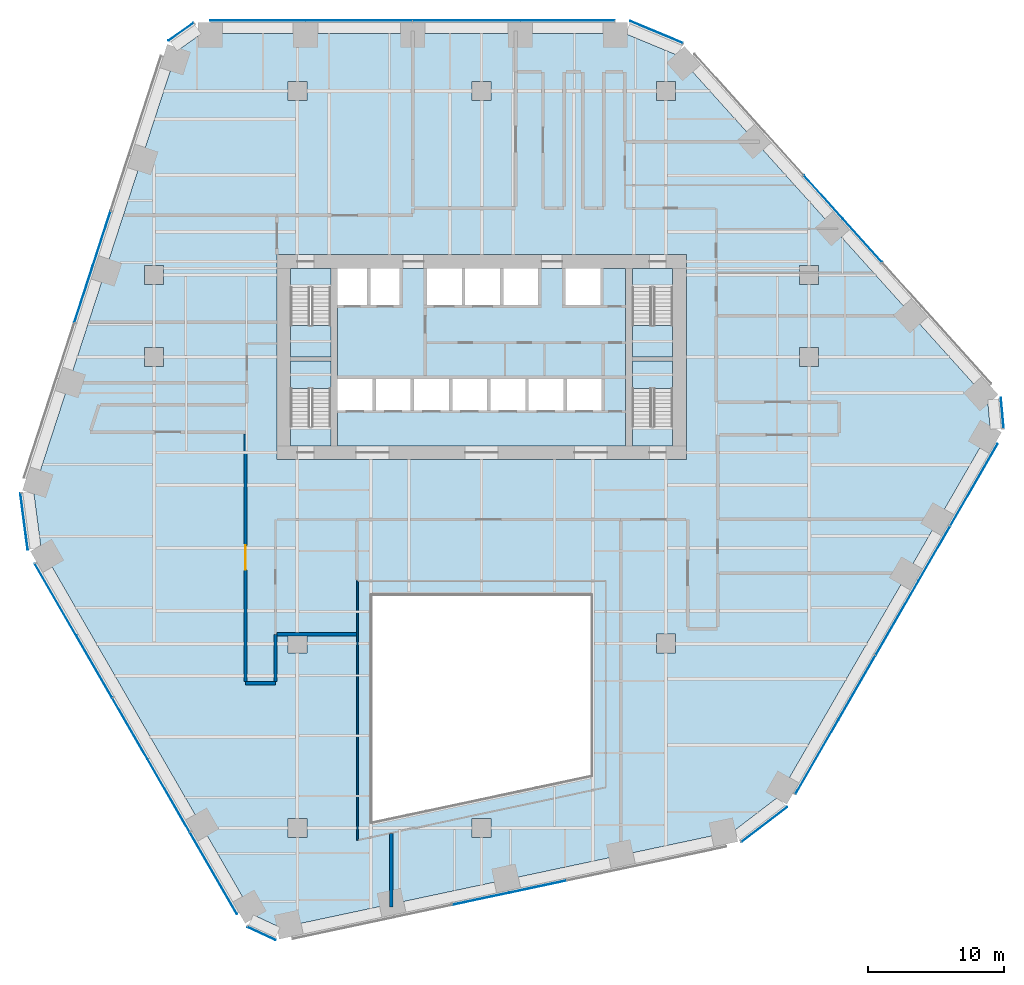
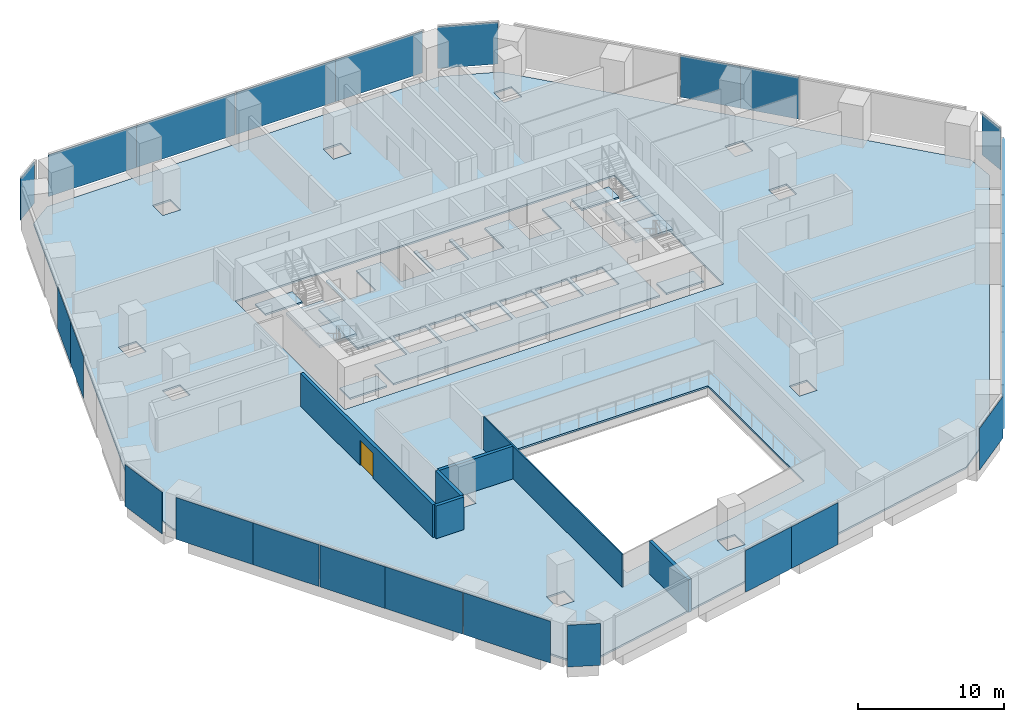
# One storey, part 13 of 21: 26 plates, 10 slabs, 6 walls, 1 door, 1 opening, 16 elements without a shape of their own.
"""IFC4 building model written with IfcOpenShell, lengths in metres."""

from ifc_helpers import new_model, si_unit, direction, frame, frame_2d, origin, origin_2d, place, context, subcontext, project, spatial, polyline, rectangle, outline, extrude, material, layer, layer_set, type_object, element, fill, aggregate, save


model = new_model("IFC4")

# Units and contexts
model_context = context("Model", 3, precision=1e-05, world=origin(), true_north=direction((0.0, 1.0)))
body_context = subcontext(model_context, "Body", "Model", "MODEL_VIEW")
ifc_project = project(units=[si_unit("LENGTHUNIT", "METRE"), si_unit("AREAUNIT", "SQUARE_METRE"), si_unit("VOLUMEUNIT", "CUBIC_METRE"), si_unit("PLANEANGLEUNIT", "RADIAN"), si_unit("MASSUNIT", "GRAM", prefix="KILO")], contexts=[model_context])

# Site, building, storey
site_placement = place(None, origin())
site = spatial("IfcSite", under=ifc_project, at=site_placement, CompositionType="ELEMENT")
building_placement = place(site_placement, origin())
building = spatial("IfcBuilding", under=site, at=building_placement, Name="Isthmus Gate Tower", CompositionType="ELEMENT")
storey_placement = place(building_placement, frame((0.0, 0.0, 46.949951171875)))
storey = spatial("IfcBuildingStorey", under=building, at=storey_placement, Name="L09", CompositionType="ELEMENT", Elevation=46.949951171875)

# Slabs
ifc_material_1 = material(Name="Concrete f'c 40 MPa", Category="concrete")
ifc_layer_1 = layer(ifc_material_1, 0.14990234375)
ifc_layer_set_1 = layer_set([ifc_layer_1], Name="COMPOSITE FLOOR SLAB 150")
slab_type_1 = type_object("IfcSlabType", Name="COMPOSITE FLOOR SLAB 150", PredefinedType="FLOOR", material=ifc_layer_set_1)
slab_1_placement = place(storey_placement, frame((0.0, 0.0, -0.14990234375)))
element("IfcSlab", 1, at=slab_1_placement, inside=storey, type_object=slab_type_1, Name="str-slab-L09-1", PredefinedType="FLOOR", context=body_context, shape_type="SweptSolid", body=[
    extrude(outline(polyline([(14.391357421875, 29.599365234375), (37.081787109375, 4.399169921875), (37.281494140625, 2.17333984375), (21.748779296875, -24.729736328125), (18.438232421875, -27.262939453125), (-14.73095703125, -34.313232421875), (-16.758544921875, -33.373291015625), (-32.291015625, -6.47021484375), (-32.82958984375, -2.33642578125), (-22.3505859375, 29.9140625), (-20.52294921875, 31.199951171875), (10.542236328125, 31.199951171875), (14.391357421875, 29.599365234375)]), holes=[polyline([(-14.199951171875, -27.699951171875), (-12.800048828125, -27.699951171875), (-12.800048828125, -26.300048828125), (-14.199951171875, -26.300048828125), (-14.199951171875, -27.699951171875)]), polyline([(-0.699951171875, -26.300048828125), (-0.699951171875, -27.699951171875), (0.699951171875, -27.699951171875), (0.699951171875, -26.300048828125), (-0.699951171875, -26.300048828125)]), polyline([(-14.199951171875, -12.800048828125), (-14.199951171875, -14.199951171875), (-12.800048828125, -14.199951171875), (-12.800048828125, -12.800048828125), (-14.199951171875, -12.800048828125)]), polyline([(-24.699951171875, 8.199951171875), (-24.699951171875, 6.800048828125), (-23.300048828125, 6.800048828125), (-23.300048828125, 8.199951171875), (-24.699951171875, 8.199951171875)]), polyline([(-23.300048828125, 14.199951171875), (-24.699951171875, 14.199951171875), (-24.699951171875, 12.800048828125), (-23.300048828125, 12.800048828125), (-23.300048828125, 14.199951171875)]), polyline([(-14.199951171875, 27.699951171875), (-14.199951171875, 26.300048828125), (-12.800048828125, 26.300048828125), (-12.800048828125, 27.699951171875), (-14.199951171875, 27.699951171875)]), polyline([(-0.699951171875, 27.699951171875), (-0.699951171875, 26.300048828125), (0.699951171875, 26.300048828125), (0.699951171875, 27.699951171875), (-0.699951171875, 27.699951171875)]), polyline([(8.0, -23.143310546875), (8.0, -10.0), (-8.0, -10.0), (-8.0, -26.544189453125), (8.0, -23.143310546875)]), polyline([(14.199951171875, -12.800048828125), (12.800048828125, -12.800048828125), (12.800048828125, -14.199951171875), (14.199951171875, -14.199951171875), (14.199951171875, -12.800048828125)]), polyline([(15.0, 15.0), (-15.0, 15.0), (-15.0, 0.0), (15.0, 0.0), (15.0, 15.0)]), polyline([(24.699951171875, 8.199951171875), (23.300048828125, 8.199951171875), (23.300048828125, 6.800048828125), (24.699951171875, 6.800048828125), (24.699951171875, 8.199951171875)]), polyline([(23.300048828125, 14.199951171875), (23.300048828125, 12.800048828125), (24.699951171875, 12.800048828125), (24.699951171875, 14.199951171875), (23.300048828125, 14.199951171875)]), polyline([(14.199951171875, 27.699951171875), (12.800048828125, 27.699951171875), (12.800048828125, 26.300048828125), (14.199951171875, 26.300048828125), (14.199951171875, 27.699951171875)])]), origin(), (0.0, 0.0, 1.0), 0.14990234375),
])
ifc_material_2 = material(Name="Concrete f'c 40 MPa", Category="concrete")
ifc_layer_2 = layer(ifc_material_2, 0.14990234375)
ifc_layer_set_2 = layer_set([ifc_layer_2], Name="CORE FLOOR SLAB 150")
slab_type_2 = type_object("IfcSlabType", Name="CORE FLOOR SLAB 150", PredefinedType="FLOOR", material=ifc_layer_set_2)
slab_2_placement = place(storey_placement, frame((0.0, 0.0, -0.14990234375)))
element("IfcSlab", 2, at=slab_2_placement, inside=storey, type_object=slab_type_2, Name="L09 core floor", PredefinedType="FLOOR", context=body_context, shape_type="SweptSolid", body=[
    extrude(outline(polyline([(-11.050048828125, 1.0), (-11.050048828125, 2.402099609375), (-14.0, 2.402099609375), (-14.0, 1.0), (-11.050048828125, 1.0)])), origin(), (0.0, 0.0, 1.0), 0.14990234375),
])
slab_3_placement = place(storey_placement, frame((0.0, 0.0, -0.14990234375)))
element("IfcSlab", 3, at=slab_3_placement, inside=storey, type_object=slab_type_2, Name="L09 core floor", PredefinedType="FLOOR", context=body_context, shape_type="SweptSolid", body=[
    extrude(outline(polyline([(-14.0, 14.0), (-14.0, 12.597900390625), (-11.050048828125, 12.597900390625), (-11.050048828125, 14.0), (-14.0, 14.0)])), origin(), (0.0, 0.0, 1.0), 0.14990234375),
])
slab_4_placement = place(storey_placement, frame((0.0, 0.0, -0.14990234375)))
element("IfcSlab", 4, at=slab_4_placement, inside=storey, type_object=slab_type_2, Name="L09 core floor", PredefinedType="FLOOR", context=body_context, shape_type="SweptSolid", body=[
    extrude(outline(polyline([(10.550048828125, 14.0), (8.699951171875, 14.0), (8.699951171875, 11.300048828125), (6.14990234375, 11.300048828125), (6.14990234375, 14.0), (4.14990234375, 14.0), (4.14990234375, 11.300048828125), (1.60009765625, 11.300048828125), (1.60009765625, 14.0), (1.35009765625, 14.0), (1.35009765625, 11.300048828125), (-1.199951171875, 11.300048828125), (-1.199951171875, 14.0), (-1.449951171875, 14.0), (-1.449951171875, 11.300048828125), (-4.0, 11.300048828125), (-4.0, 14.0), (-6.0, 14.0), (-6.0, 11.300048828125), (-8.14990234375, 11.300048828125), (-8.14990234375, 14.0), (-8.39990234375, 14.0), (-8.39990234375, 11.300048828125), (-10.550048828125, 11.300048828125), (-10.550048828125, 5.89990234375), (-8.0, 5.89990234375), (-8.0, 3.60009765625), (-10.550048828125, 3.60009765625), (-10.550048828125, 1.0), (10.550048828125, 1.0), (10.550048828125, 14.0)]), holes=[polyline([(-5.199951171875, 5.89990234375), (-5.199951171875, 3.60009765625), (-7.75, 3.60009765625), (-7.75, 5.89990234375), (-5.199951171875, 5.89990234375)]), polyline([(-2.39990234375, 5.89990234375), (-2.39990234375, 3.60009765625), (-4.949951171875, 3.60009765625), (-4.949951171875, 5.89990234375), (-2.39990234375, 5.89990234375)]), polyline([(0.39990234375, 5.89990234375), (0.39990234375, 3.60009765625), (-2.14990234375, 3.60009765625), (-2.14990234375, 5.89990234375), (0.39990234375, 5.89990234375)]), polyline([(3.199951171875, 5.89990234375), (3.199951171875, 3.60009765625), (0.64990234375, 3.60009765625), (0.64990234375, 5.89990234375), (3.199951171875, 5.89990234375)]), polyline([(6.0, 5.89990234375), (6.0, 3.60009765625), (3.449951171875, 3.60009765625), (3.449951171875, 5.89990234375), (6.0, 5.89990234375)]), polyline([(8.800048828125, 5.89990234375), (8.800048828125, 3.60009765625), (6.25, 3.60009765625), (6.25, 5.89990234375), (8.800048828125, 5.89990234375)])]), origin(), (0.0, 0.0, 1.0), 0.14990234375),
])
slab_5_placement = place(storey_placement, frame((0.0, 0.0, -0.14990234375)))
element("IfcSlab", 5, at=slab_5_placement, inside=storey, type_object=slab_type_2, Name="L09 core floor", PredefinedType="FLOOR", context=body_context, shape_type="SweptSolid", body=[
    extrude(outline(polyline([(14.0, 1.0), (14.0, 2.402099609375), (11.050048828125, 2.402099609375), (11.050048828125, 1.0), (14.0, 1.0)])), origin(), (0.0, 0.0, 1.0), 0.14990234375),
])
slab_6_placement = place(storey_placement, frame((0.0, 0.0, -0.14990234375)))
element("IfcSlab", 6, at=slab_6_placement, inside=storey, type_object=slab_type_2, Name="L09 core floor", PredefinedType="FLOOR", context=body_context, shape_type="SweptSolid", body=[
    extrude(outline(polyline([(11.050048828125, 14.0), (11.050048828125, 12.597900390625), (14.0, 12.597900390625), (14.0, 14.0), (11.050048828125, 14.0)])), origin(), (0.0, 0.0, 1.0), 0.14990234375),
])

# Curtain wall, plates
ifc_material_3 = material(Name="Aluminium, pale champagne anodised", Category="aluminium")
ifc_layer_3 = layer(ifc_material_3, 0.199951171875)
ifc_layer_set_3 = layer_set([ifc_layer_3], Name="CW-1 UNITISED CURTAIN WALL 200 DEEP")
curtain_wall_type = type_object("IfcCurtainWallType", Name="CW-1 UNITISED CURTAIN WALL 200 DEEP", PredefinedType="NOTDEFINED", material=ifc_layer_set_3)
curtain_wall_1_placement = place(storey_placement, origin())
curtain_wall_1 = element("IfcCurtainWall", 7, at=curtain_wall_1_placement, inside=storey, type_object=curtain_wall_type, Name="CW-1 N L09", PredefinedType="NOTDEFINED")
ifc_material_4 = material(Name="Laminated low-iron glass, pale blue tint", Category="glass")
ifc_layer_4 = layer(ifc_material_4, 0.0400390625)
ifc_layer_set_4 = layer_set([ifc_layer_4], Name="CW-1 CLEAR GLASS LITE 40")
plate_type = type_object("IfcPlateType", Name="CW-1 CLEAR GLASS LITE 40", PredefinedType="CURTAIN_PANEL", material=ifc_layer_set_4)
plate_1_placement = place(storey_placement, frame((6.287109375, 32.179931640625, 0.0), z_axis=(0.0, 0.0, 1.0), x_axis=(-1.0, 0.0, 0.0)))
plate_1 = element("IfcPlate", 8, at=plate_1_placement, type_object=plate_type, Name="CW-1 glass lite", PredefinedType="CURTAIN_PANEL", context=body_context, shape_type="SweptSolid", body=[
    extrude(rectangle(XDim=6.909423828125, YDim=0.0400390625, at=origin_2d()), origin(), (0.0, 0.0, 1.0), 3.5),
])
plate_2_placement = place(storey_placement, frame((-1.1025390625, 32.179931640625, 0.0), z_axis=(0.0, 0.0, 1.0), x_axis=(-1.0, 0.0, 0.0)))
plate_2 = element("IfcPlate", 9, at=plate_2_placement, type_object=plate_type, Name="CW-1 glass lite", PredefinedType="CURTAIN_PANEL", context=body_context, shape_type="SweptSolid", body=[
    extrude(rectangle(XDim=7.86962890625, YDim=0.0400390625, at=origin_2d()), origin(), (0.0, 0.0, 1.0), 3.5),
])
plate_3_placement = place(storey_placement, frame((-9.001953125, 32.179931640625, 0.0), z_axis=(0.0, 0.0, 1.0), x_axis=(-1.0, 0.0, 0.0)))
plate_3 = element("IfcPlate", 10, at=plate_3_placement, type_object=plate_type, Name="CW-1 glass lite", PredefinedType="CURTAIN_PANEL", context=body_context, shape_type="SweptSolid", body=[
    extrude(rectangle(XDim=7.8095703125, YDim=0.0400390625, at=origin_2d()), origin(), (0.0, 0.0, 1.0), 3.5),
])
plate_4_placement = place(storey_placement, frame((-16.391357421875, 32.179931640625, 0.0), z_axis=(0.0, 0.0, 1.0), x_axis=(-1.0, 0.0, 0.0)))
plate_4 = element("IfcPlate", 11, at=plate_4_placement, type_object=plate_type, Name="CW-1 glass lite", PredefinedType="CURTAIN_PANEL", context=body_context, shape_type="SweptSolid", body=[
    extrude(rectangle(XDim=6.969482421875, YDim=0.0400390625, at=origin_2d()), origin(), (0.0, 0.0, 1.0), 3.5),
])
aggregate(curtain_wall_1, [plate_1, plate_2, plate_3, plate_4])

# Curtain wall, plate
curtain_wall_2_placement = place(storey_placement, origin())
curtain_wall_2 = element("IfcCurtainWall", 12, at=curtain_wall_2_placement, inside=storey, type_object=curtain_wall_type, Name="CW-1 N-NW L09", PredefinedType="NOTDEFINED")
plate_5_placement = place(storey_placement, frame((-22.025146484375, 31.341552734375, 0.0), z_axis=(0.0, 0.0, 1.0), x_axis=(-0.81785959165, -0.57541783805, 0.0)))
plate_5 = element("IfcPlate", 13, at=plate_5_placement, type_object=plate_type, Name="CW-1 glass lite", PredefinedType="CURTAIN_PANEL", context=body_context, shape_type="SweptSolid", body=[
    extrude(rectangle(XDim=2.258544921875, YDim=0.0400390625, at=origin_2d()), origin(), (0.0, 0.0, 1.0), 3.5),
])
aggregate(curtain_wall_2, [plate_5])

# Curtain wall, plates
curtain_wall_3_placement = place(storey_placement, origin())
curtain_wall_3 = element("IfcCurtainWall", 14, at=curtain_wall_3_placement, inside=storey, type_object=curtain_wall_type, Name="CW-1 NW L09", PredefinedType="NOTDEFINED")
plate_6_placement = place(storey_placement, frame((-27.8544921875, 16.146484375, 0.0), z_axis=(0.0, 0.0, 1.0), x_axis=(-0.309016994375, -0.951056516295, 0.0)))
plate_6 = element("IfcPlate", 15, at=plate_6_placement, type_object=plate_type, Name="CW-1 glass lite", PredefinedType="CURTAIN_PANEL", context=body_context, shape_type="SweptSolid", body=[
    extrude(rectangle(XDim=4.234619140625, YDim=0.0400390625, at=origin_2d()), origin(), (0.0, 0.0, 1.0), 3.5),
])
plate_7_placement = place(storey_placement, frame((-29.17236328125, 12.09033203125, 0.0), z_axis=(0.0, 0.0, 1.0), x_axis=(-0.309016994375, -0.951056516295, 0.0)))
plate_7 = element("IfcPlate", 16, at=plate_7_placement, type_object=plate_type, Name="CW-1 glass lite", PredefinedType="CURTAIN_PANEL", context=body_context, shape_type="SweptSolid", body=[
    extrude(rectangle(XDim=4.294677734375, YDim=0.0400390625, at=origin_2d()), origin(), (0.0, 0.0, 1.0), 3.5),
])
aggregate(curtain_wall_3, [plate_6, plate_7])

# Curtain wall, plate
curtain_wall_4_placement = place(storey_placement, origin())
curtain_wall_4 = element("IfcCurtainWall", 17, at=curtain_wall_4_placement, inside=storey, type_object=curtain_wall_type, Name="CW-1 NW-SW L09", PredefinedType="NOTDEFINED")
plate_8_placement = place(storey_placement, frame((-33.5283203125, -4.558349609375, 0.0), z_axis=(0.0, 0.0, 1.0), x_axis=(0.129164534, -0.991623175988, 0.0)))
plate_8 = element("IfcPlate", 18, at=plate_8_placement, type_object=plate_type, Name="CW-1 glass lite", PredefinedType="CURTAIN_PANEL", context=body_context, shape_type="SweptSolid", body=[
    extrude(rectangle(XDim=4.181396484375, YDim=0.0400390625, at=origin_2d()), origin(), (0.0, 0.0, 1.0), 3.5),
])
aggregate(curtain_wall_4, [plate_8])

# Curtain wall, plates
curtain_wall_5_placement = place(storey_placement, origin())
curtain_wall_5 = element("IfcCurtainWall", 19, at=curtain_wall_5_placement, inside=storey, type_object=curtain_wall_type, Name="CW-1 SW L09", PredefinedType="NOTDEFINED")
plate_9_placement = place(storey_placement, frame((-31.22119140625, -10.283203125, 0.0), z_axis=(0.0, 0.0, 1.0), x_axis=(0.5, -0.866025403784, 0.0)))
plate_9 = element("IfcPlate", 20, at=plate_9_placement, type_object=plate_type, Name="CW-1 glass lite", PredefinedType="CURTAIN_PANEL", context=body_context, shape_type="SweptSolid", body=[
    extrude(rectangle(XDim=6.07373046875, YDim=0.0400390625, at=origin_2d()), origin(), (0.0, 0.0, 1.0), 3.5),
])
plate_10_placement = place(storey_placement, frame((-28.394287109375, -15.179443359375, 0.0), z_axis=(0.0, 0.0, 1.0), x_axis=(0.5, -0.866025403784, 0.0)))
plate_10 = element("IfcPlate", 21, at=plate_10_placement, type_object=plate_type, Name="CW-1 glass lite", PredefinedType="CURTAIN_PANEL", context=body_context, shape_type="SweptSolid", body=[
    extrude(rectangle(XDim=5.233642578125, YDim=0.0400390625, at=origin_2d()), origin(), (0.0, 0.0, 1.0), 3.5),
])
plate_11_placement = place(storey_placement, frame((-25.7626953125, -19.73779296875, 0.0), z_axis=(0.0, 0.0, 1.0), x_axis=(0.5, -0.866025403784, 0.0)))
plate_11 = element("IfcPlate", 22, at=plate_11_placement, type_object=plate_type, Name="CW-1 glass lite", PredefinedType="CURTAIN_PANEL", context=body_context, shape_type="SweptSolid", body=[
    extrude(rectangle(XDim=5.173583984375, YDim=0.0400390625, at=origin_2d()), origin(), (0.0, 0.0, 1.0), 3.5),
])
plate_12_placement = place(storey_placement, frame((-22.935791015625, -24.634033203125, 0.0), z_axis=(0.0, 0.0, 1.0), x_axis=(0.5, -0.866025403784, 0.0)))
plate_12 = element("IfcPlate", 23, at=plate_12_placement, type_object=plate_type, Name="CW-1 glass lite", PredefinedType="CURTAIN_PANEL", context=body_context, shape_type="SweptSolid", body=[
    extrude(rectangle(XDim=6.133544921875, YDim=0.0400390625, at=origin_2d()), origin(), (0.0, 0.0, 1.0), 3.5),
])
plate_13_placement = place(storey_placement, frame((-19.6513671875, -30.32275390625, 0.0), z_axis=(0.0, 0.0, 1.0), x_axis=(0.5, -0.866025403784, 0.0)))
plate_13 = element("IfcPlate", 24, at=plate_13_placement, type_object=plate_type, Name="CW-1 glass lite", PredefinedType="CURTAIN_PANEL", context=body_context, shape_type="SweptSolid", body=[
    extrude(rectangle(XDim=6.883544921875, YDim=0.0400390625, at=origin_2d()), origin(), (0.0, 0.0, 1.0), 3.5),
])
aggregate(curtain_wall_5, [plate_9, plate_10, plate_11, plate_12, plate_13])

# Curtain wall, plate
curtain_wall_6_placement = place(storey_placement, origin())
curtain_wall_6 = element("IfcCurtainWall", 25, at=curtain_wall_6_placement, inside=storey, type_object=curtain_wall_type, Name="CW-1 SW-S L09", PredefinedType="NOTDEFINED")
plate_14_placement = place(storey_placement, frame((-16.1298828125, -34.7451171875, 0.0), z_axis=(0.0, 0.0, 1.0), x_axis=(0.907256261367, -0.420578264073, 0.0)))
plate_14 = element("IfcPlate", 26, at=plate_14_placement, type_object=plate_type, Name="CW-1 glass lite", PredefinedType="CURTAIN_PANEL", context=body_context, shape_type="SweptSolid", body=[
    extrude(rectangle(XDim=2.258544921875, YDim=0.0400390625, at=origin_2d()), origin(), (0.0, 0.0, 1.0), 3.5),
])
aggregate(curtain_wall_6, [plate_14])

# Curtain wall, plates
curtain_wall_7_placement = place(storey_placement, origin())
curtain_wall_7 = element("IfcCurtainWall", 27, at=curtain_wall_7_placement, inside=storey, type_object=curtain_wall_type, Name="CW-1 S L09", PredefinedType="NOTDEFINED")
plate_15_placement = place(storey_placement, frame((-0.055908203125, -32.19580078125, 0.0), z_axis=(0.0, 0.0, 1.0), x_axis=(0.978147600734, 0.207911690818, 0.0)))
plate_15 = element("IfcPlate", 28, at=plate_15_placement, type_object=plate_type, Name="CW-1 glass lite", PredefinedType="CURTAIN_PANEL", context=body_context, shape_type="SweptSolid", body=[
    extrude(rectangle(XDim=4.234619140625, YDim=0.0400390625, at=origin_2d()), origin(), (0.0, 0.0, 1.0), 3.5),
])
plate_16_placement = place(storey_placement, frame((4.115478515625, -31.309326171875, 0.0), z_axis=(0.0, 0.0, 1.0), x_axis=(0.978147600734, 0.207911690818, 0.0)))
plate_16 = element("IfcPlate", 29, at=plate_16_placement, type_object=plate_type, Name="CW-1 glass lite", PredefinedType="CURTAIN_PANEL", context=body_context, shape_type="SweptSolid", body=[
    extrude(rectangle(XDim=4.294677734375, YDim=0.0400390625, at=origin_2d()), origin(), (0.0, 0.0, 1.0), 3.5),
])
aggregate(curtain_wall_7, [plate_15, plate_16])

# Curtain wall, plate
curtain_wall_8_placement = place(storey_placement, origin())
curtain_wall_8 = element("IfcCurtainWall", 30, at=curtain_wall_8_placement, inside=storey, type_object=curtain_wall_type, Name="CW-1 S-SE L09", PredefinedType="NOTDEFINED")
plate_17_placement = place(storey_placement, frame((20.711669921875, -26.75732421875, 0.0), z_axis=(0.0, 0.0, 1.0), x_axis=(0.794188594387, 0.607671355706, 0.0)))
plate_17 = element("IfcPlate", 31, at=plate_17_placement, type_object=plate_type, Name="CW-1 glass lite", PredefinedType="CURTAIN_PANEL", context=body_context, shape_type="SweptSolid", body=[
    extrude(rectangle(XDim=4.181396484375, YDim=0.0400390625, at=origin_2d()), origin(), (0.0, 0.0, 1.0), 3.5),
])
aggregate(curtain_wall_8, [plate_17])

# Curtain wall, plates
curtain_wall_9_placement = place(storey_placement, origin())
curtain_wall_9 = element("IfcCurtainWall", 32, at=curtain_wall_9_placement, inside=storey, type_object=curtain_wall_type, Name="CW-1 SE L09", PredefinedType="NOTDEFINED")
plate_18_placement = place(storey_placement, frame((24.5673828125, -21.80810546875, 0.0), z_axis=(0.0, 0.0, 1.0), x_axis=(0.5, 0.866025403784, 0.0)))
plate_18 = element("IfcPlate", 33, at=plate_18_placement, type_object=plate_type, Name="CW-1 glass lite", PredefinedType="CURTAIN_PANEL", context=body_context, shape_type="SweptSolid", body=[
    extrude(rectangle(XDim=6.278564453125, YDim=0.0400390625, at=origin_2d()), origin(), (0.0, 0.0, 1.0), 3.5),
])
plate_19_placement = place(storey_placement, frame((27.49658203125, -16.734375, 0.0), z_axis=(0.0, 0.0, 1.0), x_axis=(0.5, 0.866025403784, 0.0)))
plate_19 = element("IfcPlate", 34, at=plate_19_placement, type_object=plate_type, Name="CW-1 glass lite", PredefinedType="CURTAIN_PANEL", context=body_context, shape_type="SweptSolid", body=[
    extrude(rectangle(XDim=5.4384765625, YDim=0.0400390625, at=origin_2d()), origin(), (0.0, 0.0, 1.0), 3.5),
])
plate_20_placement = place(storey_placement, frame((30.4560546875, -11.608642578125, 0.0), z_axis=(0.0, 0.0, 1.0), x_axis=(0.5, 0.866025403784, 0.0)))
plate_20 = element("IfcPlate", 35, at=plate_20_placement, type_object=plate_type, Name="CW-1 glass lite", PredefinedType="CURTAIN_PANEL", context=body_context, shape_type="SweptSolid", body=[
    extrude(rectangle(XDim=6.278564453125, YDim=0.0400390625, at=origin_2d()), origin(), (0.0, 0.0, 1.0), 3.5),
])
plate_21_placement = place(storey_placement, frame((33.173828125, -6.901123046875, 0.0), z_axis=(0.0, 0.0, 1.0), x_axis=(0.5, 0.866025403784, 0.0)))
plate_21 = element("IfcPlate", 36, at=plate_21_placement, type_object=plate_type, Name="CW-1 glass lite", PredefinedType="CURTAIN_PANEL", context=body_context, shape_type="SweptSolid", body=[
    extrude(rectangle(XDim=4.5927734375, YDim=0.0400390625, at=origin_2d()), origin(), (0.0, 0.0, 1.0), 3.5),
])
plate_22_placement = place(storey_placement, frame((36.079345703125, -1.86865234375, 0.0), z_axis=(0.0, 0.0, 1.0), x_axis=(0.5, 0.866025403784, 0.0)))
plate_22 = element("IfcPlate", 37, at=plate_22_placement, type_object=plate_type, Name="CW-1 glass lite", PredefinedType="CURTAIN_PANEL", context=body_context, shape_type="SweptSolid", body=[
    extrude(rectangle(XDim=6.909423828125, YDim=0.0400390625, at=origin_2d()), origin(), (0.0, 0.0, 1.0), 3.5),
])
aggregate(curtain_wall_9, [plate_18, plate_19, plate_20, plate_21, plate_22])

# Curtain wall, plate
curtain_wall_10_placement = place(storey_placement, origin())
curtain_wall_10 = element("IfcCurtainWall", 38, at=curtain_wall_10_placement, inside=storey, type_object=curtain_wall_type, Name="CW-1 SE-NE L09", PredefinedType="NOTDEFINED")
plate_23_placement = place(storey_placement, frame((38.155029296875, 3.403564453125, 0.0), z_axis=(0.0, 0.0, 1.0), x_axis=(-0.089396669717, 0.995996102123, 0.0)))
plate_23 = element("IfcPlate", 39, at=plate_23_placement, type_object=plate_type, Name="CW-1 glass lite", PredefinedType="CURTAIN_PANEL", context=body_context, shape_type="SweptSolid", body=[
    extrude(rectangle(XDim=2.258544921875, YDim=0.0400390625, at=origin_2d()), origin(), (0.0, 0.0, 1.0), 3.5),
])
aggregate(curtain_wall_10, [plate_23])

# Curtain wall, plates
curtain_wall_11_placement = place(storey_placement, origin())
curtain_wall_11 = element("IfcCurtainWall", 40, at=curtain_wall_11_placement, inside=storey, type_object=curtain_wall_type, Name="CW-1 NE L09", PredefinedType="NOTDEFINED")
plate_24_placement = place(storey_placement, frame((27.910400390625, 16.049560546875, 0.0), z_axis=(0.0, 0.0, 1.0), x_axis=(-0.669130606359, 0.743144825477, 0.0)))
plate_24 = element("IfcPlate", 41, at=plate_24_placement, type_object=plate_type, Name="CW-1 glass lite", PredefinedType="CURTAIN_PANEL", context=body_context, shape_type="SweptSolid", body=[
    extrude(rectangle(XDim=4.234619140625, YDim=0.0400390625, at=origin_2d()), origin(), (0.0, 0.0, 1.0), 3.5),
])
plate_25_placement = place(storey_placement, frame((25.056884765625, 19.21875, 0.0), z_axis=(0.0, 0.0, 1.0), x_axis=(-0.669130606359, 0.743144825477, 0.0)))
plate_25 = element("IfcPlate", 42, at=plate_25_placement, type_object=plate_type, Name="CW-1 glass lite", PredefinedType="CURTAIN_PANEL", context=body_context, shape_type="SweptSolid", body=[
    extrude(rectangle(XDim=4.294677734375, YDim=0.0400390625, at=origin_2d()), origin(), (0.0, 0.0, 1.0), 3.5),
])
aggregate(curtain_wall_11, [plate_24, plate_25])

# Curtain wall, plate
curtain_wall_12_placement = place(storey_placement, origin())
curtain_wall_12 = element("IfcCurtainWall", 43, at=curtain_wall_12_placement, inside=storey, type_object=curtain_wall_type, Name="CW-1 NE-N L09", PredefinedType="NOTDEFINED")
plate_26_placement = place(storey_placement, frame((12.816650390625, 31.315673828125, 0.0), z_axis=(0.0, 0.0, 1.0), x_axis=(-0.923353128387, 0.383951820282, 0.0)))
plate_26 = element("IfcPlate", 44, at=plate_26_placement, type_object=plate_type, Name="CW-1 glass lite", PredefinedType="CURTAIN_PANEL", context=body_context, shape_type="SweptSolid", body=[
    extrude(rectangle(XDim=4.181396484375, YDim=0.0400390625, at=origin_2d()), origin(), (0.0, 0.0, 1.0), 3.5),
])
aggregate(curtain_wall_12, [plate_26])

# Stair, slab
ifc_material_5 = material(Name="Concrete f'c 40 MPa", Category="concrete")
stair_type = type_object("IfcStairType", Name="CORE STAIR 22 RISERS", PredefinedType="HALF_TURN_STAIR", material=ifc_material_5)
stair_1_placement = place(storey_placement, origin())
stair_1 = element("IfcStair", 45, at=stair_1_placement, inside=storey, type_object=stair_type, Name="L09 Exit Stair 1", PredefinedType="HALF_TURN_STAIR")
ifc_material_6 = material(Name="Concrete f'c 40 MPa", Category="concrete")
ifc_layer_5 = layer(ifc_material_6, 0.199951171875)
ifc_layer_set_5 = layer_set([ifc_layer_5])
slab_type_3 = type_object("IfcSlabType", Name="STAIR LANDING RC 200", PredefinedType="LANDING", material=ifc_layer_set_5)
slab_7_placement = place(storey_placement, frame((0.0, 0.0, 1.625)))
slab_7 = element("IfcSlab", 46, at=slab_7_placement, type_object=slab_type_3, Name="ST1 landing 1", PredefinedType="LANDING", context=body_context, shape_type="SweptSolid", body=[
    extrude(outline(polyline([(-14.0, 9.800048828125), (-14.0, 7.5), (-11.050048828125, 7.5), (-11.050048828125, 9.800048828125), (-14.0, 9.800048828125)])), origin(), (0.0, 0.0, 1.0), 0.199951171875),
])
aggregate(stair_1, [slab_7])

stair_2_placement = place(storey_placement, origin())
stair_2 = element("IfcStair", 47, at=stair_2_placement, inside=storey, type_object=stair_type, Name="L09 Exit Stair 2", PredefinedType="HALF_TURN_STAIR")
slab_8_placement = place(storey_placement, frame((0.0, 0.0, 1.625)))
slab_8 = element("IfcSlab", 48, at=slab_8_placement, type_object=slab_type_3, Name="ST2 landing 1", PredefinedType="LANDING", context=body_context, shape_type="SweptSolid", body=[
    extrude(outline(polyline([(11.050048828125, 9.800048828125), (11.050048828125, 7.5), (14.0, 7.5), (14.0, 9.800048828125), (11.050048828125, 9.800048828125)])), origin(), (0.0, 0.0, 1.0), 0.199951171875),
])
aggregate(stair_2, [slab_8])

stair_3_placement = place(storey_placement, origin())
stair_3 = element("IfcStair", 49, at=stair_3_placement, inside=storey, type_object=stair_type, Name="L09 Exit Stair 7", PredefinedType="HALF_TURN_STAIR")
slab_9_placement = place(storey_placement, frame((0.0, 0.0, 1.625)))
slab_9 = element("IfcSlab", 50, at=slab_9_placement, type_object=slab_type_3, Name="ST7 landing 1", PredefinedType="LANDING", context=body_context, shape_type="SweptSolid", body=[
    extrude(outline(polyline([(-11.050048828125, 5.199951171875), (-11.050048828125, 7.199951171875), (-14.0, 7.199951171875), (-14.0, 5.199951171875), (-11.050048828125, 5.199951171875)])), origin(), (0.0, 0.0, 1.0), 0.199951171875),
])
aggregate(stair_3, [slab_9])

stair_4_placement = place(storey_placement, origin())
stair_4 = element("IfcStair", 51, at=stair_4_placement, inside=storey, type_object=stair_type, Name="L09 Exit Stair 8", PredefinedType="HALF_TURN_STAIR")
slab_10_placement = place(storey_placement, frame((0.0, 0.0, 1.625)))
slab_10 = element("IfcSlab", 52, at=slab_10_placement, type_object=slab_type_3, Name="ST8 landing 1", PredefinedType="LANDING", context=body_context, shape_type="SweptSolid", body=[
    extrude(outline(polyline([(14.0, 5.199951171875), (14.0, 7.199951171875), (11.050048828125, 7.199951171875), (11.050048828125, 5.199951171875), (14.0, 5.199951171875)])), origin(), (0.0, 0.0, 1.0), 0.199951171875),
])
aggregate(stair_4, [slab_10])

# Walls
ifc_material_7 = material(Name="Double-leaf acoustic stud wall, fire-rated", Category="gypsum")
ifc_layer_6 = layer(ifc_material_7, 0.25)
ifc_layer_set_6 = layer_set([ifc_layer_6], Name="ACOUSTIC WALL 250 60 MIN")
wall_type_1 = type_object("IfcWallType", Name="ACOUSTIC WALL 250 60 MIN", PredefinedType="PARTITIONING", material=ifc_layer_set_6)
wall_1_placement = place(storey_placement, frame((-15.10009765625, -16.39990234375, 0.0), z_axis=(0.0, 0.0, 1.0), x_axis=(-1.0, 0.0, 0.0)))
element("IfcWall", 53, at=wall_1_placement, inside=storey, type_object=wall_type_1, Name="L09 Acoustic Wall 250 60 Min", PredefinedType="PARTITIONING", context=body_context, shape_type="SweptSolid", body=[
    extrude(rectangle(XDim=2.199951171875, YDim=0.25, at=frame_2d((1.10009765625, 0.0))), origin(), (0.0, 0.0, 1.0), 2.7412109375),
])
wall_2_placement = place(storey_placement, frame((-15.10009765625, -12.825927734375, 0.0), z_axis=(0.0, 0.0, 1.0), x_axis=(0.0, -1.0, 0.0)))
element("IfcWall", 54, at=wall_2_placement, inside=storey, type_object=wall_type_1, Name="L09 Acoustic Wall 250 60 Min", PredefinedType="PARTITIONING", context=body_context, shape_type="SweptSolid", body=[
    extrude(rectangle(XDim=3.448974609375, YDim=0.25, at=frame_2d((1.724609375, 0.0))), origin(), (0.0, 0.0, 1.0), 2.7412109375),
])
wall_3_placement = place(storey_placement, frame((-14.97509765625, -12.825927734375, 0.0), z_axis=(0.0, 0.0, 1.0), x_axis=(1.0, 0.0, 0.0)))
element("IfcWall", 55, at=wall_3_placement, inside=storey, type_object=wall_type_1, Name="L09 Acoustic Wall 250 60 Min", PredefinedType="PARTITIONING", context=body_context, shape_type="SweptSolid", body=[
    extrude(rectangle(XDim=5.8251953125, YDim=0.25, at=frame_2d((2.91259765625, 0.0))), origin(), (0.0, 0.0, 1.0), 2.7412109375),
])

# Wall, opening, door
wall_4_placement = place(storey_placement, frame((-17.300048828125, -16.27490234375, 0.0), z_axis=(0.0, 0.0, 1.0), x_axis=(0.0, 1.0, 0.0)))
wall_4 = element("IfcWall", 56, at=wall_4_placement, inside=storey, type_object=wall_type_1, Name="L09 Acoustic Wall 250 60 Min", PredefinedType="PARTITIONING", context=body_context, shape_type="SweptSolid", body=[
    extrude(rectangle(XDim=18.14990234375, YDim=0.25, at=frame_2d((9.074951171875, 0.0))), origin(), (0.0, 0.0, 1.0), 2.7412109375),
])
opening_placement = place(wall_4_placement, frame((8.175048828125, 0.0, 0.0)))
opening = element("IfcOpeningElement", 57, at=opening_placement, cuts=wall_4, Name="Opening DT-T1B-14", PredefinedType="OPENING", context=body_context, shape_type="SweptSolid", body=[
    extrude(rectangle(XDim=1.800048828125, YDim=2.10009765625, at=frame_2d((0.89990234375, 1.050048828125))), frame((0.0, 0.135009765625, 0.0), z_axis=(0.0, -1.0, 0.0), x_axis=(1.0, 0.0, 0.0)), (0.0, 0.0, 1.0), 0.27001953125),
])
ifc_material_8 = material(Name="Solid core timber door leaf, fire-rated", Category="wood")
door_type = type_object("IfcDoorType", Name="FIRE DOOR ACOUSTIC ROOM 1800 X 2100 60 MIN", OperationType="DOUBLE_DOOR_DOUBLE_SWING", PredefinedType="DOOR", material=ifc_material_8)
door_placement = place(opening_placement, origin())
door = element("IfcDoor", 58, at=door_placement, inside=storey, type_object=door_type, Name="L09 room door", OperationType="DOUBLE_DOOR_DOUBLE_SWING", OverallHeight=2.10009765625, OverallWidth=1.800048828125, PredefinedType="DOOR", context=body_context, shape_type="SweptSolid", body=[
    extrude(rectangle(XDim=1.800048828125, YDim=2.10009765625, at=frame_2d((0.89990234375, 1.050048828125))), frame((0.0, 0.02490234375, 0.0), z_axis=(0.0, -1.0, 0.0), x_axis=(1.0, 0.0, 0.0)), (0.0, 0.0, 1.0), 0.050048828125),
])
fill(opening, door)

# Walls
wall_5_placement = place(storey_placement, frame((-6.611083984375, -32.7919921875, 0.0), z_axis=(0.0, 0.0, 1.0), x_axis=(0.0, 1.0, 0.0)))
element("IfcWall", 59, at=wall_5_placement, inside=storey, type_object=wall_type_1, Name="L09 Acoustic Wall 250 60 Min", PredefinedType="PARTITIONING", context=body_context, shape_type="SweptSolid", body=[
    extrude(rectangle(XDim=5.366943359375, YDim=0.25, at=frame_2d((2.68359375, 0.0))), origin(), (0.0, 0.0, 1.0), 2.7412109375),
])
ifc_material_9 = material(Name="Fire-rated laminated glass in steel frame", Category="steel")
ifc_layer_7 = layer(ifc_material_9, 0.10009765625)
ifc_layer_set_7 = layer_set([ifc_layer_7], Name="ATRIUM SCREEN GLAZED WALL 100 120 MIN")
wall_type_2 = type_object("IfcWallType", Name="ATRIUM SCREEN GLAZED WALL 100 120 MIN", PredefinedType="PARTITIONING", material=ifc_layer_set_7)
wall_6_placement = place(storey_placement, frame((-9.10009765625, -27.902587890625, 0.0), z_axis=(0.0, 0.0, 1.0), x_axis=(0.0, 1.0, 0.0)))
element("IfcWall", 60, at=wall_6_placement, inside=storey, type_object=wall_type_2, Name="L09 atrium screen", PredefinedType="PARTITIONING", context=body_context, shape_type="SweptSolid", body=[
    extrude(rectangle(XDim=19.002685546875, YDim=0.10009765625, at=frame_2d((9.50146484375, 0.0))), origin(), (0.0, 0.0, 1.0), 2.7412109375),
])

save(model, "model.ifc")
